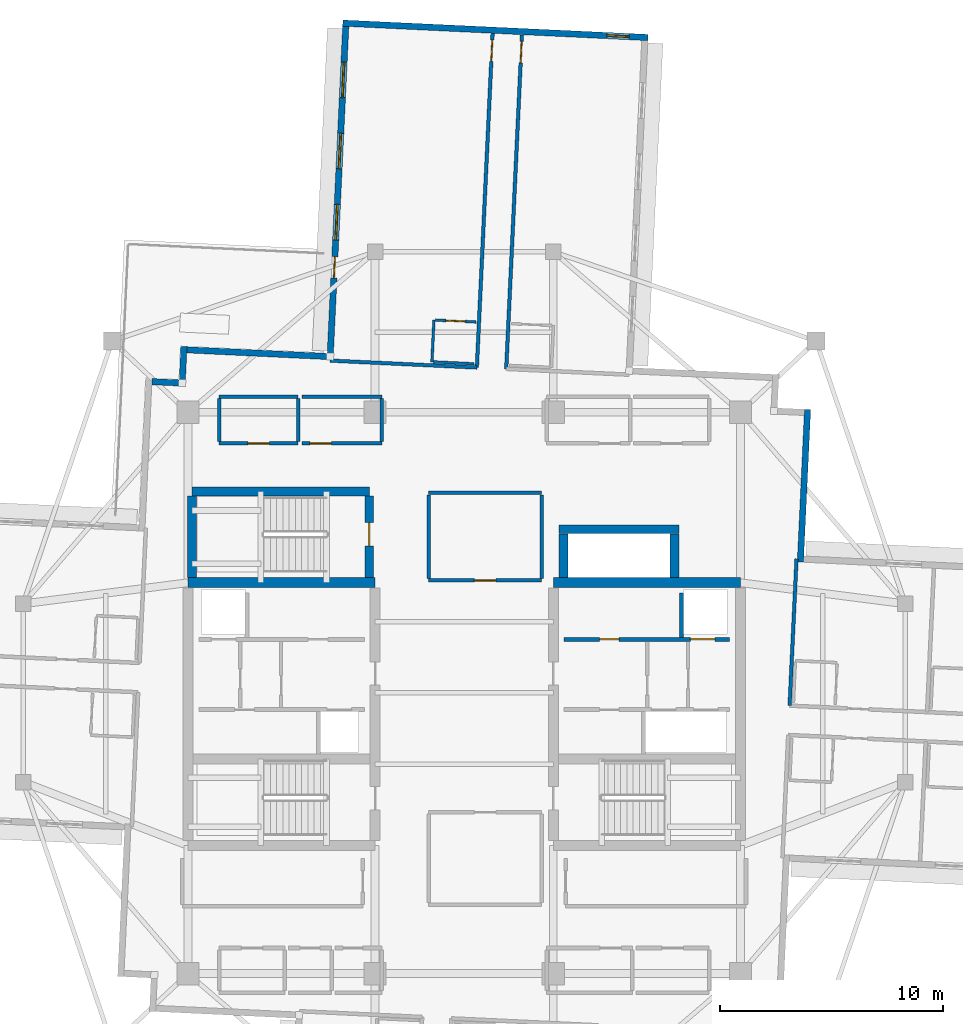
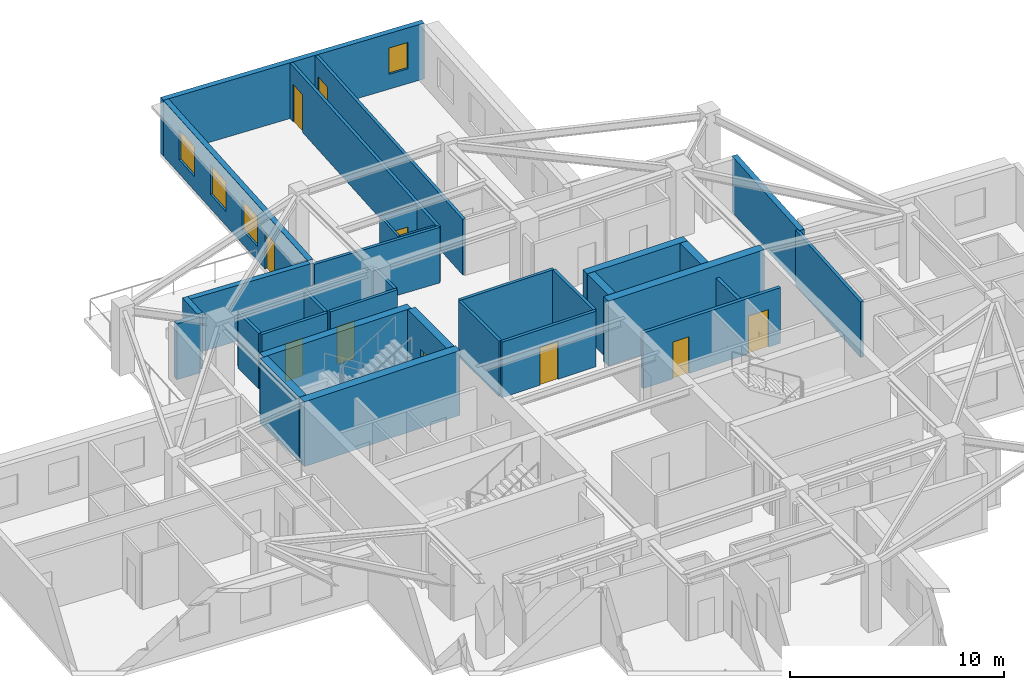
# One storey, part 7 of 12: 34 walls, 10 doors, 4 windows, 14 openings.
"""IFC4 building model written with IfcOpenShell, lengths in metres."""

from ifc_helpers import new_model, si_unit, direction, frame, frame_2d, origin, place, context, subcontext, project, spatial, rectangle, extrude, material, layer, layer_set, type_object, element, fill, save


model = new_model("IFC4")

# Units and contexts
model_context = context("Model", 3, precision=1e-05, world=origin(), true_north=direction((0.0, 1.0)))
body_context = subcontext(model_context, "Body", "Model", "MODEL_VIEW")
ifc_project = project(units=[si_unit("LENGTHUNIT", "METRE"), si_unit("AREAUNIT", "SQUARE_METRE"), si_unit("VOLUMEUNIT", "CUBIC_METRE"), si_unit("PLANEANGLEUNIT", "RADIAN"), si_unit("MASSUNIT", "GRAM", prefix="KILO")], contexts=[model_context])

# Site, building, storey
site_placement = place(None, origin())
site = spatial("IfcSite", under=ifc_project, at=site_placement, CompositionType="ELEMENT")
building_placement = place(site_placement, origin())
building = spatial("IfcBuilding", under=site, at=building_placement, Name="Qingluan Cross Belvedere", CompositionType="ELEMENT")
storey_placement = place(building_placement, frame((0.0, 0.0, 253.800048828125)))
storey = spatial("IfcBuildingStorey", under=building, at=storey_placement, Name="L63", CompositionType="ELEMENT", Elevation=253.800048828125)

# Walls
ifc_material_1 = material(Name="Concrete C50", Category="concrete")
ifc_layer_1 = layer(ifc_material_1, 0.449951171875, Name="CoreShearWall_450")
ifc_layer_set_1 = layer_set([ifc_layer_1], Name="Concrete C50")
wall_type_1 = type_object("IfcWallType", Name="CoreShearWall_450", PredefinedType="SHEAR", material=ifc_layer_set_1)
for number, where, z_axis, x_axis, name in (
    (1, (-12.39990234375, 4.949951171875, 0.0), (0.0, 0.0, 1.0), (1.0, 0.0, 0.0), "Split core W shear wall L63-N"),
    (2, (4.0, 4.949951171875, 0.0), (0.0, 0.0, 1.0), (1.0, 0.0, 0.0), "Split core E shear wall L63-N"),
):
    element("IfcWall", number, at=place(storey_placement, frame(where, z_axis=z_axis, x_axis=x_axis)), inside=storey, type_object=wall_type_1, Name=name, PredefinedType="SHEAR", context=body_context, shape_type="SweptSolid", body=[
        extrude(rectangle(XDim=8.39990234375, YDim=0.449951171875, at=frame_2d((4.199951171875, 0.0))), origin(), (0.0, 0.0, 1.0), 3.699951171875),
    ])
wall_1_placement = place(storey_placement, frame((-12.219970703125, 9.0400390625, 0.0), z_axis=(0.0, 0.0, 1.0), x_axis=(1.0, 0.0, 0.0)))
element("IfcWall", 3, at=wall_1_placement, inside=storey, type_object=wall_type_1, Name="Stair ST3 structural wall N L63", PredefinedType="SHEAR", context=body_context, shape_type="SweptSolid", body=[
    extrude(rectangle(XDim=7.9599609375, YDim=0.39990234375, at=frame_2d((3.97998046875, 0.0))), origin(), (0.0, 0.0, 1.0), 3.699951171875),
])
wall_2_placement = place(storey_placement, frame((-12.219970703125, 5.179931640625, 0.0), z_axis=(0.0, 0.0, 1.0), x_axis=(0.0, 1.0, 0.0)))
element("IfcWall", 4, at=wall_2_placement, inside=storey, type_object=wall_type_1, Name="Stair ST3 structural wall W L63", PredefinedType="SHEAR", context=body_context, shape_type="SweptSolid", body=[
    extrude(rectangle(XDim=3.655029296875, YDim=0.39990234375, at=frame_2d((1.82763671875, 0.0))), origin(), (0.0, 0.0, 1.0), 3.699951171875),
])

# Wall, opening, door
wall_3_placement = place(storey_placement, frame((-4.260009765625, 5.179931640625, 0.0), z_axis=(0.0, 0.0, 1.0), x_axis=(0.0, 1.0, 0.0)))
wall_3 = element("IfcWall", 5, at=wall_3_placement, inside=storey, type_object=wall_type_1, Name="Stair ST3 structural wall E L63", PredefinedType="SHEAR", context=body_context, shape_type="SweptSolid", body=[
    extrude(rectangle(XDim=3.655029296875, YDim=0.39990234375, at=frame_2d((1.82763671875, 0.0))), origin(), (0.0, 0.0, 1.0), 3.699951171875),
])
opening_1_placement = place(wall_3_placement, frame((1.419921875, 0.0, 0.0)))
opening_1 = element("IfcOpeningElement", 6, at=opening_1_placement, cuts=wall_3, Name="Opening FD-B11", PredefinedType="OPENING", context=body_context, shape_type="SweptSolid", body=[
    extrude(rectangle(XDim=1.050048828125, YDim=2.14990234375, at=frame_2d((0.52490234375, 1.074951171875))), frame((0.0, 0.2099609375, 0.0), z_axis=(0.0, -1.0, 0.0), x_axis=(1.0, 0.0, 0.0)), (0.0, 0.0, 1.0), 0.419921875),
])
ifc_material_2 = material(Name="Steel Class B smoke-seal fire door", Category="steel")
door_type_1 = type_object("IfcDoorType", Name="StairLobbyFireDoor_FDB", OperationType="NOTDEFINED", PredefinedType="DOOR", material=ifc_material_2)
door_1_placement = place(opening_1_placement, origin())
door_1 = element("IfcDoor", 7, at=door_1_placement, inside=storey, type_object=door_type_1, Name="Smoke-proof stair ST3 fire door L63", OperationType="SINGLE_SWING_LEFT", OverallHeight=2.14990234375, OverallWidth=1.050048828125, PredefinedType="DOOR", context=body_context, shape_type="SweptSolid", body=[
    extrude(rectangle(XDim=1.050048828125, YDim=2.14990234375, at=frame_2d((0.52490234375, 1.074951171875))), frame((0.0, 0.02490234375, 0.0), z_axis=(0.0, -1.0, 0.0), x_axis=(1.0, 0.0, 0.0)), (0.0, 0.0, 1.0), 0.050048828125),
])
fill(opening_1, door_1)

# Walls
wall_4_placement = place(storey_placement, frame((4.449951171875, 5.179931640625, 0.0), z_axis=(0.0, 0.0, 1.0), x_axis=(0.0, 1.0, 0.0)))
element("IfcWall", 8, at=wall_4_placement, inside=storey, type_object=wall_type_1, Name="Express shuttle core wall L63-W", PredefinedType="SHEAR", context=body_context, shape_type="SweptSolid", body=[
    extrude(rectangle(XDim=1.9599609375, YDim=0.39990234375, at=frame_2d((0.97998046875, 0.0))), origin(), (0.0, 0.0, 1.0), 3.699951171875),
])
wall_5_placement = place(storey_placement, frame((4.25, 7.35009765625, 0.0), z_axis=(0.0, 0.0, 1.0), x_axis=(1.0, 0.0, 0.0)))
element("IfcWall", 9, at=wall_5_placement, inside=storey, type_object=wall_type_1, Name="Express shuttle core wall L63-N", PredefinedType="SHEAR", context=body_context, shape_type="SweptSolid", body=[
    extrude(rectangle(XDim=5.39990234375, YDim=0.39990234375, at=frame_2d((2.699951171875, 0.0))), origin(), (0.0, 0.0, 1.0), 3.699951171875),
])
wall_6_placement = place(storey_placement, frame((9.449951171875, 5.179931640625, 0.0), z_axis=(0.0, 0.0, 1.0), x_axis=(0.0, 1.0, 0.0)))
element("IfcWall", 10, at=wall_6_placement, inside=storey, type_object=wall_type_1, Name="Express shuttle core wall L63-E", PredefinedType="SHEAR", context=body_context, shape_type="SweptSolid", body=[
    extrude(rectangle(XDim=1.9599609375, YDim=0.39990234375, at=frame_2d((0.97998046875, 0.0))), origin(), (0.0, 0.0, 1.0), 3.699951171875),
])

# Wall, opening, door
ifc_material_3 = material(Name="Gypsum plasterboard on steel stud acoustic partition", Category="steel")
ifc_layer_2 = layer(ifc_material_3, 0.159912109375, Name="CorridorPartition_160")
ifc_layer_set_2 = layer_set([ifc_layer_2], Name="Gypsum plasterboard on steel stud acoustic partition")
wall_type_2 = type_object("IfcWallType", Name="CorridorPartition_160", PredefinedType="PARTITIONING", material=ifc_layer_set_2)
wall_7_placement = place(storey_placement, frame((-11.0, 11.199951171875, 0.0), z_axis=(0.0, 0.0, 1.0), x_axis=(1.0, 0.0, 0.0)))
wall_7 = element("IfcWall", 11, at=wall_7_placement, inside=storey, type_object=wall_type_2, Name="Partition L63:q_nw1:S", PredefinedType="PARTITIONING", context=body_context, shape_type="SweptSolid", body=[
    extrude(rectangle(XDim=3.550048828125, YDim=0.159912109375, at=frame_2d((1.77490234375, 0.0))), origin(), (0.0, 0.0, 1.0), 3.169921875),
])
opening_2_placement = place(wall_7_placement, frame((1.294921875, 0.0, 0.0)))
opening_2 = element("IfcOpeningElement", 12, at=opening_2_placement, cuts=wall_7, Name="Opening GD-10", PredefinedType="OPENING", context=body_context, shape_type="SweptSolid", body=[
    extrude(rectangle(XDim=0.9599609375, YDim=2.14990234375, at=frame_2d((0.47998046875, 1.074951171875))), frame((0.0, 0.08984375, 0.0), z_axis=(0.0, -1.0, 0.0), x_axis=(1.0, 0.0, 0.0)), (0.0, 0.0, 1.0), 0.179931640625),
])
ifc_material_4 = material(Name="Timber oak fire-rated acoustic guestroom door", Category="wood")
door_type_2 = type_object("IfcDoorType", Name="GuestEntryDoor_FD60", OperationType="NOTDEFINED", PredefinedType="DOOR", material=ifc_material_4)
door_2_placement = place(opening_2_placement, origin())
door_2 = element("IfcDoor", 13, at=door_2_placement, inside=storey, type_object=door_type_2, Name="Northwest sky parlor L63 door", OperationType="SINGLE_SWING_RIGHT", OverallHeight=2.14990234375, OverallWidth=0.9599609375, PredefinedType="DOOR", context=body_context, shape_type="SweptSolid", body=[
    extrude(rectangle(XDim=0.9599609375, YDim=2.14990234375, at=frame_2d((0.47998046875, 1.074951171875))), frame((0.0, 0.02490234375, 0.0), z_axis=(0.0, -1.0, 0.0), x_axis=(1.0, 0.0, 0.0)), (0.0, 0.0, 1.0), 0.050048828125),
])
fill(opening_2, door_2)

# Walls
wall_8_placement = place(storey_placement, frame((-11.0, 13.300048828125, 0.0), z_axis=(0.0, 0.0, 1.0), x_axis=(1.0, 0.0, 0.0)))
element("IfcWall", 14, at=wall_8_placement, inside=storey, type_object=wall_type_2, Name="Partition L63:q_nw1:N", PredefinedType="PARTITIONING", context=body_context, shape_type="SweptSolid", body=[
    extrude(rectangle(XDim=3.550048828125, YDim=0.159912109375, at=frame_2d((1.77490234375, 0.0))), origin(), (0.0, 0.0, 1.0), 3.169921875),
])
for number, where, z_axis, x_axis, name in (
    (15, (-11.0, 11.284912109375, 0.0), (0.0, 0.0, 1.0), (0.0, 1.0, 0.0), "Partition L63:q_nw1:W"),
    (16, (-7.449951171875, 11.284912109375, 0.0), (0.0, 0.0, 1.0), (0.0, 1.0, 0.0), "Partition L63:q_nw1:E"),
):
    element("IfcWall", number, at=place(storey_placement, frame(where, z_axis=z_axis, x_axis=x_axis)), inside=storey, type_object=wall_type_2, Name=name, PredefinedType="PARTITIONING", context=body_context, shape_type="SweptSolid", body=[
        extrude(rectangle(XDim=1.93017578125, YDim=0.159912109375, at=frame_2d((0.965087890625, 0.0))), origin(), (0.0, 0.0, 1.0), 3.169921875),
    ])

# Wall, opening, door
wall_9_placement = place(storey_placement, frame((-7.2900390625, 11.199951171875, 0.0), z_axis=(0.0, 0.0, 1.0), x_axis=(1.0, 0.0, 0.0)))
wall_9 = element("IfcWall", 17, at=wall_9_placement, inside=storey, type_object=wall_type_2, Name="Partition L63:q_nw2:S", PredefinedType="PARTITIONING", context=body_context, shape_type="SweptSolid", body=[
    extrude(rectangle(XDim=3.590087890625, YDim=0.159912109375, at=frame_2d((1.794921875, 0.0))), origin(), (0.0, 0.0, 1.0), 3.169921875),
])
opening_3_placement = place(wall_9_placement, frame((0.364990234375, 0.0, 0.0)))
opening_3 = element("IfcOpeningElement", 18, at=opening_3_placement, cuts=wall_9, Name="Opening GD-10", PredefinedType="OPENING", context=body_context, shape_type="SweptSolid", body=[
    extrude(rectangle(XDim=0.9599609375, YDim=2.14990234375, at=frame_2d((0.47998046875, 1.074951171875))), frame((0.0, 0.08984375, 0.0), z_axis=(0.0, -1.0, 0.0), x_axis=(1.0, 0.0, 0.0)), (0.0, 0.0, 1.0), 0.179931640625),
])
door_3_placement = place(opening_3_placement, origin())
door_3 = element("IfcDoor", 19, at=door_3_placement, inside=storey, type_object=door_type_2, Name="Northwest study salon L63 door", OperationType="SINGLE_SWING_LEFT", OverallHeight=2.14990234375, OverallWidth=0.9599609375, PredefinedType="DOOR", context=body_context, shape_type="SweptSolid", body=[
    extrude(rectangle(XDim=0.9599609375, YDim=2.14990234375, at=frame_2d((0.47998046875, 1.074951171875))), frame((0.0, 0.02490234375, 0.0), z_axis=(0.0, -1.0, 0.0), x_axis=(1.0, 0.0, 0.0)), (0.0, 0.0, 1.0), 0.050048828125),
])
fill(opening_3, door_3)

# Walls
wall_10_placement = place(storey_placement, frame((-7.2900390625, 13.300048828125, 0.0), z_axis=(0.0, 0.0, 1.0), x_axis=(1.0, 0.0, 0.0)))
element("IfcWall", 20, at=wall_10_placement, inside=storey, type_object=wall_type_2, Name="Partition L63:q_nw2:N", PredefinedType="PARTITIONING", context=body_context, shape_type="SweptSolid", body=[
    extrude(rectangle(XDim=3.590087890625, YDim=0.159912109375, at=frame_2d((1.794921875, 0.0))), origin(), (0.0, 0.0, 1.0), 3.169921875),
])
wall_11_placement = place(storey_placement, frame((-3.699951171875, 11.284912109375, 0.0), z_axis=(0.0, 0.0, 1.0), x_axis=(0.0, 1.0, 0.0)))
element("IfcWall", 21, at=wall_11_placement, inside=storey, type_object=wall_type_2, Name="Partition L63:q_nw2:E", PredefinedType="PARTITIONING", context=body_context, shape_type="SweptSolid", body=[
    extrude(rectangle(XDim=1.93017578125, YDim=0.159912109375, at=frame_2d((0.965087890625, 0.0))), origin(), (0.0, 0.0, 1.0), 3.169921875),
])

# Wall, opening, door
wall_12_placement = place(storey_placement, frame((-1.60009765625, 5.050048828125, 0.0), z_axis=(0.0, 0.0, 1.0), x_axis=(1.0, 0.0, 0.0)))
wall_12 = element("IfcWall", 22, at=wall_12_placement, inside=storey, type_object=wall_type_2, Name="Partition L63:sky_tea_alcove:S", PredefinedType="PARTITIONING", context=body_context, shape_type="SweptSolid", body=[
    extrude(rectangle(XDim=5.080078125, YDim=0.159912109375, at=frame_2d((2.5400390625, 0.0))), origin(), (0.0, 0.0, 1.0), 3.169921875),
])
opening_4_placement = place(wall_12_placement, frame((2.06005859375, 0.0, 0.0)))
opening_4 = element("IfcOpeningElement", 23, at=opening_4_placement, cuts=wall_12, Name="Opening GD-10", PredefinedType="OPENING", context=body_context, shape_type="SweptSolid", body=[
    extrude(rectangle(XDim=0.9599609375, YDim=2.14990234375, at=frame_2d((0.47998046875, 1.074951171875))), frame((0.0, 0.08984375, 0.0), z_axis=(0.0, -1.0, 0.0), x_axis=(1.0, 0.0, 0.0)), (0.0, 0.0, 1.0), 0.179931640625),
])
door_4_placement = place(opening_4_placement, origin())
door_4 = element("IfcDoor", 24, at=door_4_placement, inside=storey, type_object=door_type_2, Name="Sky horizon tea salon L63 door", OperationType="SINGLE_SWING_LEFT", OverallHeight=2.14990234375, OverallWidth=0.9599609375, PredefinedType="DOOR", context=body_context, shape_type="SweptSolid", body=[
    extrude(rectangle(XDim=0.9599609375, YDim=2.14990234375, at=frame_2d((0.47998046875, 1.074951171875))), frame((0.0, 0.02490234375, 0.0), z_axis=(0.0, -1.0, 0.0), x_axis=(1.0, 0.0, 0.0)), (0.0, 0.0, 1.0), 0.050048828125),
])
fill(opening_4, door_4)

# Walls
wall_13_placement = place(storey_placement, frame((-1.60009765625, 8.97998046875, 0.0), z_axis=(0.0, 0.0, 1.0), x_axis=(1.0, 0.0, 0.0)))
element("IfcWall", 25, at=wall_13_placement, inside=storey, type_object=wall_type_2, Name="Partition L63:sky_tea_alcove:N", PredefinedType="PARTITIONING", context=body_context, shape_type="SweptSolid", body=[
    extrude(rectangle(XDim=5.080078125, YDim=0.159912109375, at=frame_2d((2.5400390625, 0.0))), origin(), (0.0, 0.0, 1.0), 3.169921875),
])
for number, where, z_axis, x_axis, name in (
    (26, (-1.60009765625, 5.135009765625, 0.0), (0.0, 0.0, 1.0), (0.0, 1.0, 0.0), "Partition L63:sky_tea_alcove:W"),
    (27, (3.47998046875, 5.135009765625, 0.0), (0.0, 0.0, 1.0), (0.0, 1.0, 0.0), "Partition L63:sky_tea_alcove:E"),
):
    element("IfcWall", number, at=place(storey_placement, frame(where, z_axis=z_axis, x_axis=x_axis)), inside=storey, type_object=wall_type_2, Name=name, PredefinedType="PARTITIONING", context=body_context, shape_type="SweptSolid", body=[
        extrude(rectangle(XDim=3.760009765625, YDim=0.159912109375, at=frame_2d((1.8798828125, 0.0))), origin(), (0.0, 0.0, 1.0), 3.169921875),
    ])
wall_14_placement = place(storey_placement, frame((14.609375, -0.56884765625, 0.0), z_axis=(0.0, 0.0, 1.0), x_axis=(0.047127520444, 0.998888881116, 0.0)))
element("IfcWall", 28, at=wall_14_placement, inside=storey, type_object=wall_type_2, Name="Partition L63:E:s0", PredefinedType="PARTITIONING", context=body_context, shape_type="SweptSolid", body=[
    extrude(rectangle(XDim=6.599853515625, YDim=0.159912109375, at=frame_2d((3.2998046875, 0.0))), origin(), (0.0, 0.0, 1.0), 3.169921875),
])

# Wall, opening, door
wall_15_placement = place(storey_placement, frame((1.887451171875, 14.547119140625, 0.0), z_axis=(0.0, 0.0, 1.0), x_axis=(0.047097674677, 0.998890288791, 0.0)))
wall_15 = element("IfcWall", 29, at=wall_15_placement, inside=storey, type_object=wall_type_2, Name="Partition L63:N:c0", PredefinedType="PARTITIONING", context=body_context, shape_type="SweptSolid", body=[
    extrude(rectangle(XDim=15.011962890625, YDim=0.159912109375, at=frame_2d((7.505859375, 0.0))), origin(), (0.0, 0.0, 1.0), 3.169921875),
])
opening_5_placement = place(wall_15_placement, frame((13.760009765625, 0.0, 0.0)))
opening_5 = element("IfcOpeningElement", 30, at=opening_5_placement, cuts=wall_15, Name="Opening GD-10", PredefinedType="OPENING", context=body_context, shape_type="SweptSolid", body=[
    extrude(rectangle(XDim=0.9599609375, YDim=2.14990234375, at=frame_2d((0.47998046875, 1.074951171875))), frame((0.0, 0.08984375, 0.0), z_axis=(0.0, -1.0, 0.0), x_axis=(1.0, 0.0, 0.0)), (0.0, 0.0, 1.0), 0.179931640625),
])
door_5_placement = place(opening_5_placement, origin())
door_5 = element("IfcDoor", 31, at=door_5_placement, inside=storey, type_object=door_type_2, Name="Guest entry fire door 6309", OperationType="SINGLE_SWING_LEFT", OverallHeight=2.14990234375, OverallWidth=0.9599609375, PredefinedType="DOOR", context=body_context, shape_type="SweptSolid", body=[
    extrude(rectangle(XDim=0.9599609375, YDim=2.14990234375, at=frame_2d((0.47998046875, 1.074951171875))), frame((0.0, 0.02490234375, 0.0), z_axis=(0.0, -1.0, 0.0), x_axis=(1.0, 0.0, 0.0)), (0.0, 0.0, 1.0), 0.050048828125),
])
fill(opening_5, door_5)

wall_16_placement = place(storey_placement, frame((0.56884765625, 14.609375, 0.0), z_axis=(0.0, 0.0, 1.0), x_axis=(0.047097674677, 0.998890288791, 0.0)))
wall_16 = element("IfcWall", 32, at=wall_16_placement, inside=storey, type_object=wall_type_2, Name="Partition L63:N:c1", PredefinedType="PARTITIONING", context=body_context, shape_type="SweptSolid", body=[
    extrude(rectangle(XDim=15.011962890625, YDim=0.159912109375, at=frame_2d((7.505859375, 0.0))), origin(), (0.0, 0.0, 1.0), 3.169921875),
])
opening_6_placement = place(wall_16_placement, frame((13.760009765625, 0.0, 0.0)))
opening_6 = element("IfcOpeningElement", 33, at=opening_6_placement, cuts=wall_16, Name="Opening GD-10", PredefinedType="OPENING", context=body_context, shape_type="SweptSolid", body=[
    extrude(rectangle(XDim=0.9599609375, YDim=2.14990234375, at=frame_2d((0.47998046875, 1.074951171875))), frame((0.0, 0.08984375, 0.0), z_axis=(0.0, -1.0, 0.0), x_axis=(1.0, 0.0, 0.0)), (0.0, 0.0, 1.0), 0.179931640625),
])
door_6_placement = place(opening_6_placement, origin())
door_6 = element("IfcDoor", 34, at=door_6_placement, inside=storey, type_object=door_type_2, Name="Guest entry fire door 6310", OperationType="SINGLE_SWING_LEFT", OverallHeight=2.14990234375, OverallWidth=0.9599609375, PredefinedType="DOOR", context=body_context, shape_type="SweptSolid", body=[
    extrude(rectangle(XDim=0.9599609375, YDim=2.14990234375, at=frame_2d((0.47998046875, 1.074951171875))), frame((0.0, 0.02490234375, 0.0), z_axis=(0.0, -1.0, 0.0), x_axis=(1.0, 0.0, 0.0)), (0.0, 0.0, 1.0), 0.050048828125),
])
fill(opening_6, door_6)

# Wall
wall_17_placement = place(storey_placement, frame((0.56884765625, 14.609375, 0.0), z_axis=(0.0, 0.0, 1.0), x_axis=(-0.998888881116, 0.047127520444, 0.0)))
element("IfcWall", 35, at=wall_17_placement, inside=storey, type_object=wall_type_2, Name="Partition L63:N:s1", PredefinedType="PARTITIONING", context=body_context, shape_type="SweptSolid", body=[
    extrude(rectangle(XDim=6.599853515625, YDim=0.159912109375, at=frame_2d((3.2998046875, 0.0))), origin(), (0.0, 0.0, 1.0), 3.169921875),
])

# Wall, opening, door
ifc_material_5 = material(Name="Moisture-resistant gypsum board lining")
ifc_layer_3 = layer(ifc_material_5, 0.1201171875, Name="EnsuiteWetPartition_120")
ifc_layer_set_3 = layer_set([ifc_layer_3], Name="Moisture-resistant gypsum board lining")
wall_type_3 = type_object("IfcWallType", Name="EnsuiteWetPartition_120", PredefinedType="PARTITIONING", material=ifc_layer_set_3)
wall_18_placement = place(storey_placement, frame((-1.29296875, 16.739501953125, 0.0), z_axis=(0.0, 0.0, 1.0), x_axis=(0.998891083954, -0.047080807099, 0.0)))
wall_18 = element("IfcWall", 36, at=wall_18_placement, inside=storey, type_object=wall_type_3, Name="Partition L63:N:bs1_0", PredefinedType="PARTITIONING", context=body_context, shape_type="SweptSolid", body=[
    extrude(rectangle(XDim=1.820068359375, YDim=0.1201171875, at=frame_2d((0.91015625, 0.0))), origin(), (0.0, 0.0, 1.0), 3.169921875),
])
opening_7_placement = place(wall_18_placement, frame((0.469970703125, 0.0, 0.0)))
opening_7 = element("IfcOpeningElement", 37, at=opening_7_placement, cuts=wall_18, Name="Opening BD-09", PredefinedType="OPENING", context=body_context, shape_type="SweptSolid", body=[
    extrude(rectangle(XDim=0.8798828125, YDim=2.10009765625, at=frame_2d((0.43994140625, 1.050048828125))), frame((0.0, 0.070068359375, 0.0), z_axis=(0.0, -1.0, 0.0), x_axis=(1.0, 0.0, 0.0)), (0.0, 0.0, 1.0), 0.14013671875),
])
ifc_material_6 = material(Name="Moisture-sealed timber en-suite door", Category="wood")
door_type_3 = type_object("IfcDoorType", Name="BathroomDoor_880", OperationType="NOTDEFINED", PredefinedType="DOOR", material=ifc_material_6)
door_7_placement = place(opening_7_placement, origin())
door_7 = element("IfcDoor", 38, at=door_7_placement, inside=storey, type_object=door_type_3, Name="Bathroom door 6310", OperationType="SINGLE_SWING_RIGHT", OverallHeight=2.10009765625, OverallWidth=0.8798828125, PredefinedType="DOOR", context=body_context, shape_type="SweptSolid", body=[
    extrude(rectangle(XDim=0.8798828125, YDim=2.10009765625, at=frame_2d((0.43994140625, 1.050048828125))), frame((0.0, 0.02490234375, 0.0), z_axis=(0.0, -1.0, 0.0), x_axis=(1.0, 0.0, 0.0)), (0.0, 0.0, 1.0), 0.050048828125),
])
fill(opening_7, door_7)

# Walls
wall_19_placement = place(storey_placement, frame((-1.381591796875, 14.861572265625, 0.0), z_axis=(0.0, 0.0, 1.0), x_axis=(0.998891083954, -0.047080807099, 0.0)))
element("IfcWall", 39, at=wall_19_placement, inside=storey, type_object=wall_type_3, Name="Partition L63:N:bw1_0", PredefinedType="PARTITIONING", context=body_context, shape_type="SweptSolid", body=[
    extrude(rectangle(XDim=1.820068359375, YDim=0.1201171875, at=frame_2d((0.91015625, 0.0))), origin(), (0.0, 0.0, 1.0), 3.169921875),
])
wall_20_placement = place(storey_placement, frame((-1.4462890625, 14.864501953125, 0.0), z_axis=(0.0, 0.0, 1.0), x_axis=(0.04700985207, 0.998894425757, 0.0)))
element("IfcWall", 40, at=wall_20_placement, inside=storey, type_object=wall_type_3, Name="Partition L63:N:bc1_0", PredefinedType="PARTITIONING", context=body_context, shape_type="SweptSolid", body=[
    extrude(rectangle(XDim=1.880126953125, YDim=0.1201171875, at=frame_2d((0.93994140625, 0.0))), origin(), (0.0, 0.0, 1.0), 3.169921875),
])

# Wall, openings, windows, door
ifc_material_7 = material(Name="Precast concrete C45", Category="concrete")
ifc_layer_4 = layer(ifc_material_7, 0.280029296875, Name="PrecastFacadeWall_280")
ifc_layer_set_4 = layer_set([ifc_layer_4], Name="Precast concrete C45")
wall_type_4 = type_object("IfcWallType", Name="PrecastFacadeWall_280", PredefinedType="STANDARD", material=ifc_layer_set_4)
wall_21_placement = place(storey_placement, frame((-5.31640625, 29.923583984375, 0.0), z_axis=(0.0, 0.0, 1.0), x_axis=(-0.047101163748, -0.998890124275, 0.0)))
wall_21 = element("IfcWall", 41, at=wall_21_placement, inside=storey, type_object=wall_type_4, Name="Facade wall L63-NB", PredefinedType="STANDARD", context=body_context, shape_type="SweptSolid", body=[
    extrude(rectangle(XDim=14.699951171875, YDim=0.280029296875, at=frame_2d((7.35009765625, 0.0))), origin(), (0.0, 0.0, 1.0), 3.179931640625),
])
opening_8_placement = place(wall_21_placement, frame((1.60009765625, 0.0, 0.800048828125)))
opening_8 = element("IfcOpeningElement", 42, at=opening_8_placement, cuts=wall_21, Name="Opening W-04", PredefinedType="OPENING", context=body_context, shape_type="SweptSolid", body=[
    extrude(rectangle(XDim=1.60009765625, YDim=1.699951171875, at=frame_2d((0.800048828125, 0.85009765625))), frame((0.0, 0.14990234375, 0.0), z_axis=(0.0, -1.0, 0.0), x_axis=(1.0, 0.0, 0.0)), (0.0, 0.0, 1.0), 0.300048828125),
])
opening_9_placement = place(wall_21_placement, frame((4.800048828125, 0.0, 0.800048828125)))
opening_9 = element("IfcOpeningElement", 43, at=opening_9_placement, cuts=wall_21, Name="Opening W-04", PredefinedType="OPENING", context=body_context, shape_type="SweptSolid", body=[
    extrude(rectangle(XDim=1.60009765625, YDim=1.699951171875, at=frame_2d((0.800048828125, 0.85009765625))), frame((0.0, 0.14990234375, 0.0), z_axis=(0.0, -1.0, 0.0), x_axis=(1.0, 0.0, 0.0)), (0.0, 0.0, 1.0), 0.300048828125),
])
opening_10_placement = place(wall_21_placement, frame((8.0, 0.0, 0.800048828125)))
opening_10 = element("IfcOpeningElement", 44, at=opening_10_placement, cuts=wall_21, Name="Opening W-04", PredefinedType="OPENING", context=body_context, shape_type="SweptSolid", body=[
    extrude(rectangle(XDim=1.60009765625, YDim=1.699951171875, at=frame_2d((0.800048828125, 0.85009765625))), frame((0.0, 0.14990234375, 0.0), z_axis=(0.0, -1.0, 0.0), x_axis=(1.0, 0.0, 0.0)), (0.0, 0.0, 1.0), 0.300048828125),
])
opening_11_placement = place(wall_21_placement, frame((10.35009765625, 0.0, 0.0)))
opening_11 = element("IfcOpeningElement", 45, at=opening_11_placement, cuts=wall_21, Name="Opening WD-10", PredefinedType="OPENING", context=body_context, shape_type="SweptSolid", body=[
    extrude(rectangle(XDim=0.9599609375, YDim=2.10009765625, at=frame_2d((0.47998046875, 1.050048828125))), frame((0.0, 0.14990234375, 0.0), z_axis=(0.0, -1.0, 0.0), x_axis=(1.0, 0.0, 0.0)), (0.0, 0.0, 1.0), 0.300048828125),
])
ifc_material_8 = material(Name="Thermally broken triple Low-E glass in aluminium frame", Category="aluminium")
window_type_1 = type_object("IfcWindowType", Name="SuiteCornerWin_1600x1700", PartitioningType="SINGLE_PANEL", PredefinedType="WINDOW", material=ifc_material_8)
window_1_placement = place(opening_8_placement, origin())
window_1 = element("IfcWindow", 46, at=window_1_placement, inside=storey, type_object=window_type_1, Name="Ribbon window L63-NB-1", OverallHeight=1.699951171875, OverallWidth=1.60009765625, PartitioningType="SINGLE_PANEL", PredefinedType="WINDOW", context=body_context, shape_type="SweptSolid", body=[
    extrude(rectangle(XDim=1.60009765625, YDim=1.699951171875, at=frame_2d((0.800048828125, 0.85009765625))), frame((0.0, 0.030029296875, 0.0), z_axis=(0.0, -1.0, 0.0), x_axis=(1.0, 0.0, 0.0)), (0.0, 0.0, 1.0), 0.06005859375),
])
fill(opening_8, window_1)
window_2_placement = place(opening_9_placement, origin())
window_2 = element("IfcWindow", 47, at=window_2_placement, inside=storey, type_object=window_type_1, Name="Ribbon window L63-NB-2", OverallHeight=1.699951171875, OverallWidth=1.60009765625, PartitioningType="SINGLE_PANEL", PredefinedType="WINDOW", context=body_context, shape_type="SweptSolid", body=[
    extrude(rectangle(XDim=1.60009765625, YDim=1.699951171875, at=frame_2d((0.800048828125, 0.85009765625))), frame((0.0, 0.030029296875, 0.0), z_axis=(0.0, -1.0, 0.0), x_axis=(1.0, 0.0, 0.0)), (0.0, 0.0, 1.0), 0.06005859375),
])
fill(opening_9, window_2)
window_3_placement = place(opening_10_placement, origin())
window_3 = element("IfcWindow", 48, at=window_3_placement, inside=storey, type_object=window_type_1, Name="Ribbon window L63-NB-3", OverallHeight=1.699951171875, OverallWidth=1.60009765625, PartitioningType="SINGLE_PANEL", PredefinedType="WINDOW", context=body_context, shape_type="SweptSolid", body=[
    extrude(rectangle(XDim=1.60009765625, YDim=1.699951171875, at=frame_2d((0.800048828125, 0.85009765625))), frame((0.0, 0.030029296875, 0.0), z_axis=(0.0, -1.0, 0.0), x_axis=(1.0, 0.0, 0.0)), (0.0, 0.0, 1.0), 0.06005859375),
])
fill(opening_10, window_3)
ifc_material_9 = material(Name="Thermally broken aluminium and Low-E glass", Category="aluminium")
door_type_4 = type_object("IfcDoorType", Name="WinterGardenDoor_096", OperationType="NOTDEFINED", PredefinedType="DOOR", material=ifc_material_9)
door_8_placement = place(opening_11_placement, origin())
door_8 = element("IfcDoor", 49, at=door_8_placement, inside=storey, type_object=door_type_4, Name="Outdoor terrace access door L63-spi", OperationType="SINGLE_SWING_RIGHT", OverallHeight=2.10009765625, OverallWidth=0.9599609375, PredefinedType="DOOR", context=body_context, shape_type="SweptSolid", body=[
    extrude(rectangle(XDim=0.9599609375, YDim=2.10009765625, at=frame_2d((0.47998046875, 1.050048828125))), frame((0.0, 0.02490234375, 0.0), z_axis=(0.0, -1.0, 0.0), x_axis=(1.0, 0.0, 0.0)), (0.0, 0.0, 1.0), 0.050048828125),
])
fill(opening_11, door_8)

# Wall, opening, window
wall_22_placement = place(storey_placement, frame((8.255126953125, 29.423828125, 0.0), z_axis=(0.0, 0.0, 1.0), x_axis=(-0.998890092147, 0.047101845086, 0.0)))
wall_22 = element("IfcWall", 50, at=wall_22_placement, inside=storey, type_object=wall_type_4, Name="Arm tip precast facade wall L63-N", PredefinedType="STANDARD", context=body_context, shape_type="SweptSolid", body=[
    extrude(rectangle(XDim=13.719970703125, YDim=0.280029296875, at=frame_2d((6.85986328125, 0.0))), origin(), (0.0, 0.0, 1.0), 3.179931640625),
])
opening_12_placement = place(wall_22_placement, frame((0.85009765625, 0.0, 0.85009765625)))
opening_12 = element("IfcOpeningElement", 51, at=opening_12_placement, cuts=wall_22, Name="Opening W-03", PredefinedType="OPENING", context=body_context, shape_type="SweptSolid", body=[
    extrude(rectangle(XDim=1.0, YDim=1.5, at=frame_2d((0.5, 0.75))), frame((0.0, 0.14990234375, 0.0), z_axis=(0.0, -1.0, 0.0), x_axis=(1.0, 0.0, 0.0)), (0.0, 0.0, 1.0), 0.300048828125),
])
ifc_material_10 = material(Name="Thermally broken triple Low-E glass in aluminium frame", Category="aluminium")
window_type_2 = type_object("IfcWindowType", Name="TriApexWin_1000x1500", PartitioningType="SINGLE_PANEL", PredefinedType="WINDOW", material=ifc_material_10)
window_4_placement = place(opening_12_placement, origin())
window_4 = element("IfcWindow", 52, at=window_4_placement, inside=storey, type_object=window_type_2, Name="Arm tip triangular window L63-N", OverallHeight=1.5, OverallWidth=1.0, PartitioningType="SINGLE_PANEL", PredefinedType="WINDOW", context=body_context, shape_type="SweptSolid", body=[
    extrude(rectangle(XDim=1.0, YDim=1.5, at=frame_2d((0.5, 0.75))), frame((0.0, 0.030029296875, 0.0), z_axis=(0.0, -1.0, 0.0), x_axis=(1.0, 0.0, 0.0)), (0.0, 0.0, 1.0), 0.06005859375),
])
fill(opening_12, window_4)

# Walls
wall_23_placement = place(storey_placement, frame((15.093505859375, 5.87548828125, 0.0), z_axis=(0.0, 0.0, 1.0), x_axis=(0.04712043756, 0.998889215261, 0.0)))
element("IfcWall", 53, at=wall_23_placement, inside=storey, type_object=wall_type_4, Name="Corner wall L63-NE1", PredefinedType="STANDARD", context=body_context, shape_type="SweptSolid", body=[
    extrude(rectangle(XDim=6.85986328125, YDim=0.280029296875, at=frame_2d((3.429931640625, 0.0))), origin(), (0.0, 0.0, 1.0), 3.179931640625),
])
wall_24_placement = place(storey_placement, frame((-14.01708984375, 13.975830078125, 0.0), z_axis=(0.0, 0.0, 1.0), x_axis=(0.998883930236, -0.047232339719, 0.0)))
element("IfcWall", 54, at=wall_24_placement, inside=storey, type_object=wall_type_4, Name="Corner wall L63-NW2", PredefinedType="STANDARD", context=body_context, shape_type="SweptSolid", body=[
    extrude(rectangle(XDim=1.219970703125, YDim=0.280029296875, at=frame_2d((0.60986328125, 0.0))), origin(), (0.0, 0.0, 1.0), 3.179931640625),
])
wall_25_placement = place(storey_placement, frame((-12.652099609375, 14.051513671875, 0.0), z_axis=(0.0, 0.0, 1.0), x_axis=(0.047039284441, 0.99889304018, 0.0)))
element("IfcWall", 55, at=wall_25_placement, inside=storey, type_object=wall_type_4, Name="Corner wall L63-NW3", PredefinedType="STANDARD", context=body_context, shape_type="SweptSolid", body=[
    extrude(rectangle(XDim=1.5, YDim=0.280029296875, at=frame_2d((0.75, 0.0))), origin(), (0.0, 0.0, 1.0), 3.179931640625),
])
wall_26_placement = place(storey_placement, frame((-12.4482421875, 15.403564453125, 0.0), z_axis=(0.0, 0.0, 1.0), x_axis=(0.998889082162, -0.047123258997, 0.0)))
element("IfcWall", 56, at=wall_26_placement, inside=storey, type_object=wall_type_4, Name="Corner wall L63-NW4", PredefinedType="STANDARD", context=body_context, shape_type="SweptSolid", body=[
    extrude(rectangle(XDim=6.300048828125, YDim=0.280029296875, at=frame_2d((3.14990234375, 0.0))), origin(), (0.0, 0.0, 1.0), 3.179931640625),
])

# Wall, openings, doors
ifc_material_11 = material(Name="Concrete C40", Category="concrete")
ifc_layer_5 = layer(ifc_material_11, 0.219970703125, Name="ShaftEnclosureWall_250")
ifc_layer_set_5 = layer_set([ifc_layer_5], Name="Concrete C40")
wall_type_5 = type_object("IfcWallType", Name="ShaftEnclosureWall_250", PredefinedType="SOLIDWALL", material=ifc_layer_set_5)
wall_27_placement = place(storey_placement, frame((4.47998046875, 2.409912109375, 0.0), z_axis=(0.0, 0.0, 1.0), x_axis=(1.0, 0.0, 0.0)))
wall_27 = element("IfcWall", 57, at=wall_27_placement, inside=storey, type_object=wall_type_5, Name="Core-E north hoistway wall L63", PredefinedType="SOLIDWALL", context=body_context, shape_type="SweptSolid", body=[
    extrude(rectangle(XDim=7.419921875, YDim=0.179931640625, at=frame_2d((3.7099609375, 0.0))), origin(), (0.0, 0.0, 1.0), 3.169921875),
])
opening_13_placement = place(wall_27_placement, frame((5.669921875, 0.0, 0.0)))
opening_13 = element("IfcOpeningElement", 58, at=opening_13_placement, cuts=wall_27, Name="Opening LD-11", PredefinedType="OPENING", context=body_context, shape_type="SweptSolid", body=[
    extrude(rectangle(XDim=1.10009765625, YDim=2.14990234375, at=frame_2d((0.550048828125, 1.074951171875))), frame((0.0, 0.099853515625, 0.0), z_axis=(0.0, -1.0, 0.0), x_axis=(1.0, 0.0, 0.0)), (0.0, 0.0, 1.0), 0.199951171875),
])
opening_14_placement = place(wall_27_placement, frame((1.60009765625, 0.0, 0.0)))
opening_14 = element("IfcOpeningElement", 59, at=opening_14_placement, cuts=wall_27, Name="Opening FD-B10", PredefinedType="OPENING", context=body_context, shape_type="SweptSolid", body=[
    extrude(rectangle(XDim=0.8798828125, YDim=2.10009765625, at=frame_2d((0.43994140625, 1.050048828125))), frame((0.0, 0.099853515625, 0.0), z_axis=(0.0, -1.0, 0.0), x_axis=(1.0, 0.0, 0.0)), (0.0, 0.0, 1.0), 0.199951171875),
])
ifc_material_12 = material(Name="Brushed stainless steel centre-opening lift landing door", Category="steel")
door_type_5 = type_object("IfcDoorType", Name="LiftLandingSlidingDoor_1100", OperationType="DOUBLE_DOOR_SLIDING", PredefinedType="DOOR", material=ifc_material_12)
door_9_placement = place(opening_13_placement, origin())
door_9 = element("IfcDoor", 60, at=door_9_placement, inside=storey, type_object=door_type_5, Name="Lift landing sliding door FL2 L63", OperationType="DOUBLE_DOOR_SLIDING", OverallHeight=2.14990234375, OverallWidth=1.10009765625, PredefinedType="DOOR", context=body_context, shape_type="SweptSolid", body=[
    extrude(rectangle(XDim=1.10009765625, YDim=2.14990234375, at=frame_2d((0.550048828125, 1.074951171875))), frame((0.0, 0.02490234375, 0.0), z_axis=(0.0, -1.0, 0.0), x_axis=(1.0, 0.0, 0.0)), (0.0, 0.0, 1.0), 0.050048828125),
])
fill(opening_13, door_9)
ifc_material_13 = material(Name="Steel Class B service fire door", Category="steel")
door_type_6 = type_object("IfcDoorType", Name="RiserServiceFireDoor_FDB", OperationType="NOTDEFINED", PredefinedType="DOOR", material=ifc_material_13)
door_10_placement = place(opening_14_placement, origin())
door_10 = element("IfcDoor", 61, at=door_10_placement, inside=storey, type_object=door_type_6, Name="Pantry room door E L63", OperationType="SINGLE_SWING_LEFT", OverallHeight=2.10009765625, OverallWidth=0.8798828125, PredefinedType="DOOR", context=body_context, shape_type="SweptSolid", body=[
    extrude(rectangle(XDim=0.8798828125, YDim=2.10009765625, at=frame_2d((0.43994140625, 1.050048828125))), frame((0.0, 0.02490234375, 0.0), z_axis=(0.0, -1.0, 0.0), x_axis=(1.0, 0.0, 0.0)), (0.0, 0.0, 1.0), 0.050048828125),
])
fill(opening_14, door_10)

# Wall
wall_28_placement = place(storey_placement, frame((9.760009765625, 2.5, 0.0), z_axis=(0.0, 0.0, 1.0), x_axis=(0.0, 1.0, 0.0)))
element("IfcWall", 62, at=wall_28_placement, inside=storey, type_object=wall_type_5, Name="Hoistway enclosure divider FL2W L63", PredefinedType="SOLIDWALL", context=body_context, shape_type="SweptSolid", body=[
    extrude(rectangle(XDim=1.989990234375, YDim=0.179931640625, at=frame_2d((0.9951171875, 0.0))), origin(), (0.0, 0.0, 1.0), 3.169921875),
])

save(model, "model.ifc")
